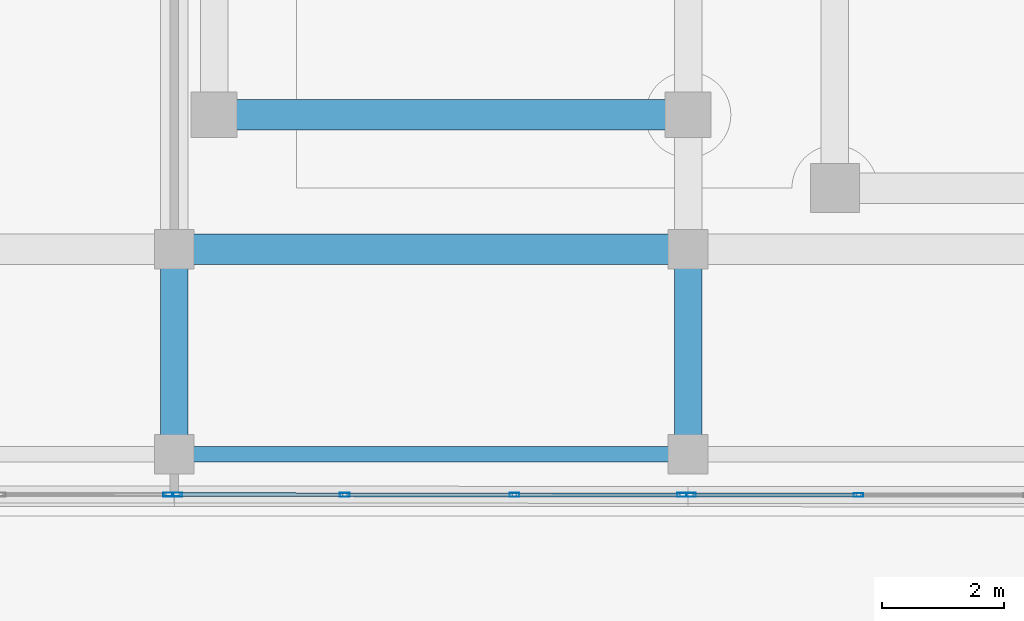
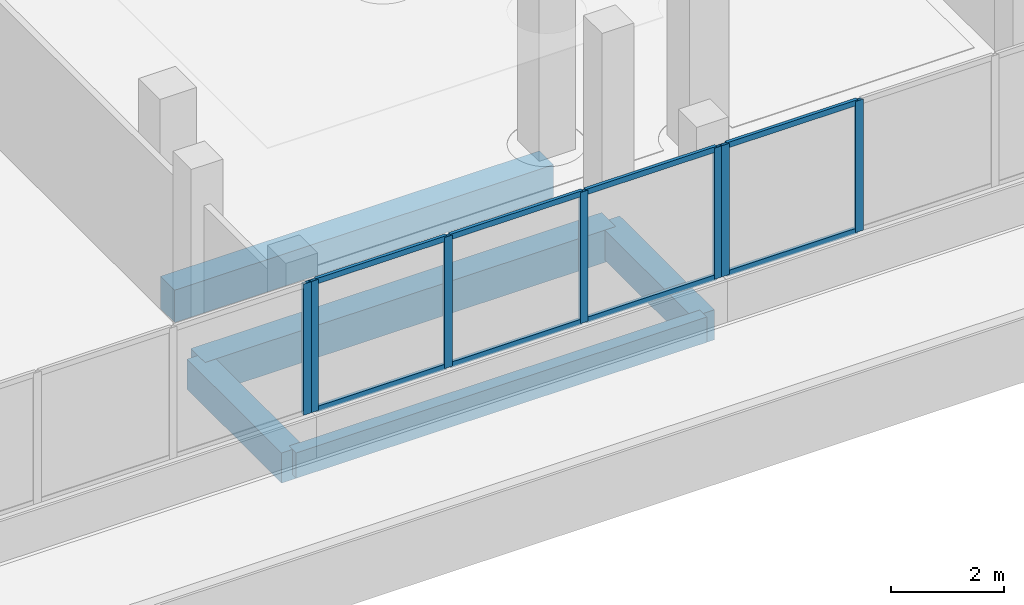
# One storey, part 6 of 78: 15 members, 5 beams, 3 elements without a shape of their own.
"""IFC4 building model written with IfcOpenShell, lengths in metres."""

import ifcopenshell
import ifcopenshell.guid

model = None  # the IFC model being written
_history = None  # IfcOwnerHistory: only IFC2X3 demands one
_inside = {}  # id of a spatial element -> (the spatial element, [elements in it])
_under = {}  # id of a project, library or spatial element -> (it, [spatial elements below it])
_declared = {}  # id of a project -> (the project, [libraries it declares])
_typed = {}  # id of a type object -> (the type object, [elements of that type])
_made_of = {}  # id of a material, layer set ... -> (it, [elements and type objects made of it])


def new_model(schema):
    """Start an empty IFC model of exactly this schema.

    Asked for "IFC4X3", IfcOpenShell would pick the latest addendum, in which some entities
    have other attributes; the version numbers below select the first issue.
    IFC2X3 requires an IfcOwnerHistory on every rooted entity: one is made here for all.
    """
    global model, _history
    if schema == "IFC4X3":
        model = ifcopenshell.file(schema_version=(4, 3, 0, 0))
    else:
        model = ifcopenshell.file(schema=schema)
    _inside.clear()
    _under.clear()
    _declared.clear()
    _typed.clear()
    _made_of.clear()
    _history = None
    if model.schema == "IFC2X3":
        org = make("IfcOrganization", Name="unknown")
        user = make(
            "IfcPersonAndOrganization",
            ThePerson=make("IfcPerson", FamilyName="unknown"),
            TheOrganization=org,
        )
        app = make(
            "IfcApplication",
            ApplicationDeveloper=org,
            Version="unknown",
            ApplicationFullName="unknown",
            ApplicationIdentifier="unknown",
        )
        _history = make(
            "IfcOwnerHistory",
            OwningUser=user,
            OwningApplication=app,
            ChangeAction="ADDED",
            CreationDate=0,
        )
    return model


def make(cls, **values):
    """One entity of the class cls with the attributes given. An attribute that is None is left unset."""
    return model.create_entity(
        cls, **{name: value for name, value in values.items() if value is not None}
    )


def rooted(cls, **values):
    """An entity with a GlobalId (a new one), such as an element, a storey or a relation."""
    return make(cls, GlobalId=ifcopenshell.guid.new(), OwnerHistory=_history, **values)


def si_unit(unit_type, name, prefix=None):
    """IfcSIUnit, for example si_unit("LENGTHUNIT", "METRE", prefix="MILLI")."""
    return make("IfcSIUnit", UnitType=unit_type, Prefix=prefix, Name=name)


def assignment(units):
    """IfcUnitAssignment: the units of a project."""
    return None if units is None else make("IfcUnitAssignment", Units=units)


def point(xyz):
    """IfcCartesianPoint."""
    return None if xyz is None else make("IfcCartesianPoint", Coordinates=xyz)


def direction(xyz):
    """IfcDirection."""
    return None if xyz is None else make("IfcDirection", DirectionRatios=xyz)


def frame(location, z_axis=None, x_axis=None):
    """IfcAxis2Placement3D, a coordinate frame: its origin and axes. An axis left out is left unset."""
    return make(
        "IfcAxis2Placement3D",
        Location=point(location),
        Axis=direction(z_axis),
        RefDirection=direction(x_axis),
    )


def frame_2d(location, x_axis=None):
    """IfcAxis2Placement2D, a coordinate frame in the plane: its origin and x axis."""
    return make(
        "IfcAxis2Placement2D", Location=point(location), RefDirection=direction(x_axis)
    )


def origin():
    """The frame at (0, 0, 0) with its axes left unset."""
    return frame((0.0, 0.0, 0.0))


def origin_2d():
    """The frame at (0, 0) in the plane with its x axis left unset."""
    return frame_2d((0.0, 0.0))


def place(relative_to, where):
    """IfcLocalPlacement: puts the frame where relative to a parent placement (None: the world)."""
    return make(
        "IfcLocalPlacement", PlacementRelTo=relative_to, RelativePlacement=where
    )


def context(
    kind, dimensions, precision=None, world=None, true_north=None, identifier=None
):
    """IfcGeometricRepresentationContext, for example the 3D "Model" context."""
    return make(
        "IfcGeometricRepresentationContext",
        ContextIdentifier=identifier,
        ContextType=kind,
        CoordinateSpaceDimension=dimensions,
        Precision=precision,
        WorldCoordinateSystem=world,
        TrueNorth=true_north,
    )


def subcontext(parent, identifier, kind, view, scale=None):
    """IfcGeometricRepresentationSubContext, for example "Body" below "Model"."""
    return make(
        "IfcGeometricRepresentationSubContext",
        ContextIdentifier=identifier,
        ContextType=kind,
        ParentContext=parent,
        TargetScale=scale,
        TargetView=view,
    )


def project(units=None, contexts=None):
    """IfcProject with its units and contexts."""
    return rooted(
        "IfcProject",
        Name="project",
        RepresentationContexts=contexts,
        UnitsInContext=assignment(units),
    )


def spatial(cls, under=None, at=None, **own):
    """A site, building, storey or space (cls), placed at a placement, below another one or the project."""
    s = rooted(cls, ObjectPlacement=at, **own)
    if under is not None:
        _under.setdefault(under.id(), (under, []))[1].append(s)
    return s


def profile(cls, at=None, kind="AREA", **sizes):
    """A parametric profile (cls). Its sizes go by their IFC names, for example OverallWidth=200.0."""
    return make(cls, ProfileType=kind, Position=at, **sizes)


def rectangle(**sizes):
    """IfcRectangleProfileDef."""
    return profile("IfcRectangleProfileDef", **sizes)


def hollow_rectangle(**sizes):
    """IfcRectangleHollowProfileDef."""
    return profile("IfcRectangleHollowProfileDef", **sizes)


def extrude(swept, where, along, depth):
    """IfcExtrudedAreaSolid: the profile swept, set in the frame where, extruded along a direction by depth."""
    return make(
        "IfcExtrudedAreaSolid",
        SweptArea=swept,
        Position=where,
        ExtrudedDirection=direction(along),
        Depth=depth,
    )


def shape(context_of_items, identifier, shape_type, items):
    """IfcShapeRepresentation: the items that make up one representation, for example the "Body"."""
    return make(
        "IfcShapeRepresentation",
        ContextOfItems=context_of_items,
        RepresentationIdentifier=identifier,
        RepresentationType=shape_type,
        Items=items,
    )


def material(Name=None, Category=None):
    """IfcMaterial."""
    return make("IfcMaterial", Name=Name, Category=Category)


def material_profile(
    of_material, cross_section, Name=None, Category=None, Priority=None
):
    """IfcMaterialProfile: a cross section and its material."""
    return make(
        "IfcMaterialProfile",
        Name=Name,
        Material=of_material,
        Profile=cross_section,
        Priority=Priority,
        Category=Category,
    )


def profile_set(profiles, Name=None, composite=None):
    """IfcMaterialProfileSet."""
    return make(
        "IfcMaterialProfileSet",
        Name=Name,
        MaterialProfiles=profiles,
        CompositeProfile=composite,
    )


def made_of(thing, what):
    """Note that an element or type object is made of a material, layer set ...; save() writes the relation."""
    if what is not None:
        _made_of.setdefault(what.id(), (what, []))[1].append(thing)
    return thing


def type_object(cls, material=None, **own):
    """A type object (cls), such as IfcWallType, which elements share."""
    return made_of(rooted(cls, **own), material)


def element(
    cls,
    number,
    at=None,
    inside=None,
    cuts=None,
    type_object=None,
    material=None,
    context=None,
    identifier="Body",
    shape_type=None,
    held_by="IfcProductDefinitionShape",
    body=None,
    shapes=None,
    **own,
):
    """One element of the class cls, such as IfcWall. Its Tag is "e" and its number.

    at: its placement. inside: the storey or other place that contains it. cuts: it is an
    opening in that element (IfcRelVoidsElement). A single representation is given by context,
    identifier, shape_type and body (its items); several are given by shapes. held_by: the class
    of the entity that holds the representations. save() writes the other relations.
    """
    e = rooted(cls, Tag="e%d" % number, ObjectPlacement=at, **own)
    if body is not None:
        shapes = [shape(context, identifier, shape_type, body)]
    if shapes is not None:
        e.Representation = make(held_by, Representations=shapes)
    if inside is not None:
        _inside.setdefault(inside.id(), (inside, []))[1].append(e)
    if cuts is not None:
        rooted(
            "IfcRelVoidsElement", RelatingBuildingElement=cuts, RelatedOpeningElement=e
        )
    if type_object is not None:
        _typed.setdefault(type_object.id(), (type_object, []))[1].append(e)
    return made_of(e, material)


def aggregate(whole, parts):
    """IfcRelAggregates: a whole, such as a stair, and the parts it consists of."""
    return rooted("IfcRelAggregates", RelatingObject=whole, RelatedObjects=parts)


def save(model, path):
    """Write the relations noted so far, then the file.

    IfcRelAggregates (storeys below a building ...), IfcRelContainedInSpatialStructure (elements
    in a storey), IfcRelDefinesByType, IfcRelAssociatesMaterial and IfcRelDeclares: one each for
    every whole, place, type object, material and project.
    """
    for whole, parts in _under.values():
        aggregate(whole, parts)
    for where, things in _inside.values():
        rooted(
            "IfcRelContainedInSpatialStructure",
            RelatedElements=things,
            RelatingStructure=where,
        )
    for kind, things in _typed.values():
        rooted("IfcRelDefinesByType", RelatedObjects=things, RelatingType=kind)
    for what, things in _made_of.values():
        rooted("IfcRelAssociatesMaterial", RelatedObjects=things, RelatingMaterial=what)
    for by, libraries in _declared.values():
        rooted("IfcRelDeclares", RelatingContext=by, RelatedDefinitions=libraries)
    model.write(path)


model = new_model("IFC4")

# Units and contexts
model_context = context("Model", 3, precision=1e-05, world=origin(), true_north=direction((0.0, 1.0)))
body_context = subcontext(model_context, "Body", "Model", "MODEL_VIEW")
ifc_project = project(units=[si_unit("LENGTHUNIT", "METRE"), si_unit("AREAUNIT", "SQUARE_METRE"), si_unit("VOLUMEUNIT", "CUBIC_METRE"), si_unit("PLANEANGLEUNIT", "RADIAN"), si_unit("MASSUNIT", "GRAM", prefix="KILO")], contexts=[model_context])

# Site, building, storey
site_placement = place(None, origin())
site = spatial("IfcSite", under=ifc_project, at=site_placement, CompositionType="ELEMENT")
building_placement = place(site_placement, origin())
building = spatial("IfcBuilding", under=site, at=building_placement, Name="Selatvlak General Hospital", CompositionType="ELEMENT")
storey_placement = place(building_placement, frame((0.0, 0.0, 23.25)))
storey = spatial("IfcBuildingStorey", under=building, at=storey_placement, Name="L05", CompositionType="ELEMENT", Elevation=23.25)

# Beams
ifc_material_1 = material(Name="Concrete C40/50", Category="concrete")
ifc_material_profile_1 = material_profile(ifc_material_1, rectangle(XDim=0.5, YDim=0.699951171875, at=origin_2d()), Name="RC-BM 500x700")
ifc_profile_set_1 = profile_set([ifc_material_profile_1], Name="Concrete C40/50")
beam_type_1 = type_object("IfcBeamType", Name="BM-G03", PredefinedType="BEAM", material=ifc_profile_set_1)
beam_1_placement = place(storey_placement, frame((48.0, 92.0, -0.6298828125), z_axis=(1.0, 0.0, 0.0), x_axis=(0.0, 1.0, 0.0)))
element("IfcBeam", 1, at=beam_1_placement, inside=storey, type_object=beam_type_1, Name="Beam BMR-L05-1905", PredefinedType="BEAM", context=body_context, shape_type="SweptSolid", body=[
    extrude(rectangle(XDim=0.5, YDim=0.699951171875, at=origin_2d()), origin(), (0.0, 0.0, 1.0), 8.39990234375),
])
beam_2_placement = place(storey_placement, frame((48.64990234375, 94.199951171875, -0.6298828125), z_axis=(1.0, 0.0, 0.0), x_axis=(0.0, 1.0, 0.0)))
element("IfcBeam", 2, at=beam_2_placement, inside=storey, type_object=beam_type_1, Name="Beam BMR-L05-1924", PredefinedType="BEAM", context=body_context, shape_type="SweptSolid", body=[
    extrude(rectangle(XDim=0.5, YDim=0.699951171875, at=origin_2d()), origin(), (0.0, 0.0, 1.0), 7.75),
])
ifc_material_profile_2 = material_profile(ifc_material_1, rectangle(XDim=0.449951171875, YDim=0.64990234375, at=origin_2d()), Name="RC-BM 450x650")
ifc_profile_set_2 = profile_set([ifc_material_profile_2], Name="Concrete C40/50")
beam_type_2 = type_object("IfcBeamType", Name="BM-G04", PredefinedType="BEAM", material=ifc_profile_set_2)
for number, where, z_axis, x_axis, name in (
    (3, (48.0, 88.64990234375, -0.60498046875), (0.0, 1.0, 0.0), (-1.0, 0.0, 0.0), "Beam BMR-L05-1999"),
    (4, (56.39990234375, 88.64990234375, -0.60498046875), (0.0, 1.0, 0.0), (-1.0, 0.0, 0.0), "Beam BMR-L05-2003"),
):
    element("IfcBeam", number, at=place(storey_placement, frame(where, z_axis=z_axis, x_axis=x_axis)), inside=storey, type_object=beam_type_2, Name=name, PredefinedType="BEAM", context=body_context, shape_type="SweptSolid", body=[
        extrude(rectangle(XDim=0.449951171875, YDim=0.64990234375, at=origin_2d()), origin(), (0.0, 0.0, 1.0), 3.35009765625),
    ])
ifc_material_profile_3 = material_profile(ifc_material_1, rectangle(XDim=0.25, YDim=0.550048828125, at=origin_2d()), Name="RC-SP 250x550")
ifc_profile_set_3 = profile_set([ifc_material_profile_3], Name="Concrete C40/50")
beam_type_3 = type_object("IfcBeamType", Name="BM-SP2", PredefinedType="SPANDREL", material=ifc_profile_set_3)
beam_3_placement = place(storey_placement, frame((48.0, 88.64990234375, -0.554931640625), z_axis=(1.0, 0.0, 0.0), x_axis=(0.0, 1.0, 0.0)))
element("IfcBeam", 5, at=beam_3_placement, inside=storey, type_object=beam_type_3, Name="Beam BMR-L05-1885", PredefinedType="SPANDREL", context=body_context, shape_type="SweptSolid", body=[
    extrude(rectangle(XDim=0.25, YDim=0.550048828125, at=origin_2d()), origin(), (0.0, 0.0, 1.0), 8.39990234375),
])

# Curtain wall, members
ifc_material_2 = material(Name="Solar-control Low-E double glazing", Category="glass")
curtain_wall_type_1 = type_object("IfcCurtainWallType", Name="CW-CW-01", PredefinedType="USERDEFINED", material=ifc_material_2)
curtain_wall_1_placement = place(storey_placement, origin())
curtain_wall_1 = element("IfcCurtainWall", 6, at=curtain_wall_1_placement, inside=storey, type_object=curtain_wall_type_1, Name="Glazed facade curtain wall CW-L05-0589", ObjectType="UNITISED CURTAIN WALL", PredefinedType="USERDEFINED")
ifc_material_3 = material(Name="Dark anodised aluminium mullion", Category="aluminium")
ifc_material_profile_4 = material_profile(ifc_material_3, hollow_rectangle(XDim=0.06494140625, YDim=0.159912109375, WallThickness=0.00390625, at=origin_2d()), Name="AL-MUL 65x160x4")
ifc_profile_set_4 = profile_set([ifc_material_profile_4], Name="Dark anodised aluminium mullion")
member_type_1 = type_object("IfcMemberType", Name="CWM-01", PredefinedType="MULLION", material=ifc_profile_set_4)
member_1_placement = place(storey_placement, frame((59.188232421875, 87.982666015625, 0.93994140625), z_axis=(0.0, 0.0, 1.0), x_axis=(-0.00048076918, -0.99999988443, 0.0)))
member_1 = element("IfcMember", 7, at=member_1_placement, type_object=member_type_1, Name="CW-01 mullion 3", PredefinedType="MULLION", context=body_context, shape_type="SweptSolid", body=[
    extrude(hollow_rectangle(XDim=0.06494140625, YDim=0.159912109375, WallThickness=0.00390625, at=origin_2d()), origin(), (0.0, 0.0, 1.0), 2.8349609375),
])
member_2_placement = place(storey_placement, frame((56.447509765625, 87.98388671875, 0.93994140625), z_axis=(0.0, 0.0, 1.0), x_axis=(-0.00048076918, -0.99999988443, 0.0)))
member_2 = element("IfcMember", 8, at=member_2_placement, type_object=member_type_1, Name="CW-01 mullion 4", PredefinedType="MULLION", context=body_context, shape_type="SweptSolid", body=[
    extrude(hollow_rectangle(XDim=0.06494140625, YDim=0.159912109375, WallThickness=0.00390625, at=origin_2d()), origin(), (0.0, 0.0, 1.0), 2.8349609375),
])

curtain_wall_type_2 = type_object("IfcCurtainWallType", Name="CW-CW-02", PredefinedType="USERDEFINED", material=ifc_material_2)
curtain_wall_2_placement = place(storey_placement, origin())
curtain_wall_2 = element("IfcCurtainWall", 9, at=curtain_wall_2_placement, inside=storey, type_object=curtain_wall_type_2, Name="Glazed facade curtain wall CW-L05-0590", ObjectType="UNITISED CURTAIN WALL", PredefinedType="USERDEFINED")
member_3_placement = place(storey_placement, frame((56.302490234375, 87.984130859375, 0.93994140625), z_axis=(0.0, 0.0, 1.0), x_axis=(-0.00048076918, -0.99999988443, 0.0)))
member_3 = element("IfcMember", 10, at=member_3_placement, type_object=member_type_1, Name="CW-02 mullion 1", PredefinedType="MULLION", context=body_context, shape_type="SweptSolid", body=[
    extrude(hollow_rectangle(XDim=0.06494140625, YDim=0.159912109375, WallThickness=0.00390625, at=origin_2d()), origin(), (0.0, 0.0, 1.0), 2.8349609375),
])
member_4_placement = place(storey_placement, frame((53.561767578125, 87.9853515625, 0.93994140625), z_axis=(0.0, 0.0, 1.0), x_axis=(-0.00048076918, -0.99999988443, 0.0)))
member_4 = element("IfcMember", 11, at=member_4_placement, type_object=member_type_1, Name="CW-02 mullion 2", PredefinedType="MULLION", context=body_context, shape_type="SweptSolid", body=[
    extrude(hollow_rectangle(XDim=0.06494140625, YDim=0.159912109375, WallThickness=0.00390625, at=origin_2d()), origin(), (0.0, 0.0, 1.0), 2.8349609375),
])
member_5_placement = place(storey_placement, frame((50.788330078125, 87.986572265625, 0.93994140625), z_axis=(0.0, 0.0, 1.0), x_axis=(-0.00048076918, -0.99999988443, 0.0)))
member_5 = element("IfcMember", 12, at=member_5_placement, type_object=member_type_1, Name="CW-02 mullion 3", PredefinedType="MULLION", context=body_context, shape_type="SweptSolid", body=[
    extrude(hollow_rectangle(XDim=0.06494140625, YDim=0.159912109375, WallThickness=0.00390625, at=origin_2d()), origin(), (0.0, 0.0, 1.0), 2.8349609375),
])
member_6_placement = place(storey_placement, frame((48.047607421875, 87.988037109375, 0.93994140625), z_axis=(0.0, 0.0, 1.0), x_axis=(-0.00048076918, -0.99999988443, 0.0)))
member_6 = element("IfcMember", 13, at=member_6_placement, type_object=member_type_1, Name="CW-02 mullion 4", PredefinedType="MULLION", context=body_context, shape_type="SweptSolid", body=[
    extrude(hollow_rectangle(XDim=0.06494140625, YDim=0.159912109375, WallThickness=0.00390625, at=origin_2d()), origin(), (0.0, 0.0, 1.0), 2.8349609375),
])

# Curtain wall, member
curtain_wall_3_placement = place(storey_placement, origin())
curtain_wall_3 = element("IfcCurtainWall", 14, at=curtain_wall_3_placement, inside=storey, type_object=curtain_wall_type_1, Name="Glazed facade curtain wall CW-L05-0591", ObjectType="UNITISED CURTAIN WALL", PredefinedType="USERDEFINED")
member_7_placement = place(storey_placement, frame((47.902587890625, 87.988037109375, 0.93994140625), z_axis=(0.0, 0.0, 1.0), x_axis=(-0.00048076918, -0.99999988443, 0.0)))
member_7 = element("IfcMember", 15, at=member_7_placement, type_object=member_type_1, Name="CW-01 mullion 1", PredefinedType="MULLION", context=body_context, shape_type="SweptSolid", body=[
    extrude(hollow_rectangle(XDim=0.06494140625, YDim=0.159912109375, WallThickness=0.00390625, at=origin_2d()), origin(), (0.0, 0.0, 1.0), 2.8349609375),
])
aggregate(curtain_wall_3, [member_7])

# Member
ifc_material_profile_5 = material_profile(ifc_material_3, hollow_rectangle(XDim=0.06494140625, YDim=0.1201171875, WallThickness=0.00390625, at=origin_2d()), Name="AL-TRN 65x120x4")
ifc_profile_set_5 = profile_set([ifc_material_profile_5], Name="Dark anodised aluminium mullion")
member_type_2 = type_object("IfcMemberType", Name="CWT-01", PredefinedType="USERDEFINED", material=ifc_profile_set_5)
member_8_placement = place(storey_placement, frame((59.15576171875, 87.982666015625, 0.972412109375), z_axis=(-0.999999895939, 0.000456204332, 0.0), x_axis=(-0.000456204332, -0.999999895939, 0.0)))
member_8 = element("IfcMember", 16, at=member_8_placement, type_object=member_type_2, Name="CW-01 transom 3.1", ObjectType="TRANSOM", PredefinedType="USERDEFINED", context=body_context, shape_type="SweptSolid", body=[
    extrude(hollow_rectangle(XDim=0.06494140625, YDim=0.1201171875, WallThickness=0.00390625, at=origin_2d()), origin(), (0.0, 0.0, 1.0), 2.67578125),
])

member_9_placement = place(storey_placement, frame((59.15576171875, 87.982666015625, 3.742431640625), z_axis=(-0.999999895939, 0.000456204332, 0.0), x_axis=(-0.000456204332, -0.999999895939, 0.0)))
member_9 = element("IfcMember", 17, at=member_9_placement, type_object=member_type_2, Name="CW-01 transom 3.2", ObjectType="TRANSOM", PredefinedType="USERDEFINED", context=body_context, shape_type="SweptSolid", body=[
    extrude(hollow_rectangle(XDim=0.06494140625, YDim=0.1201171875, WallThickness=0.00390625, at=origin_2d()), origin(), (0.0, 0.0, 1.0), 2.67578125),
])

aggregate(curtain_wall_1, [member_1, member_2, member_8, member_9])

member_10_placement = place(storey_placement, frame((56.27001953125, 87.984130859375, 0.972412109375), z_axis=(-0.999999895939, 0.000456204332, 0.0), x_axis=(-0.000456204332, -0.999999895939, 0.0)))
member_10 = element("IfcMember", 18, at=member_10_placement, type_object=member_type_2, Name="CW-02 transom 1.1", ObjectType="TRANSOM", PredefinedType="USERDEFINED", context=body_context, shape_type="SweptSolid", body=[
    extrude(hollow_rectangle(XDim=0.06494140625, YDim=0.1201171875, WallThickness=0.00390625, at=origin_2d()), origin(), (0.0, 0.0, 1.0), 2.67578125),
])

member_11_placement = place(storey_placement, frame((56.27001953125, 87.984130859375, 3.742431640625), z_axis=(-0.999999895939, 0.000456204332, 0.0), x_axis=(-0.000456204332, -0.999999895939, 0.0)))
member_11 = element("IfcMember", 19, at=member_11_placement, type_object=member_type_2, Name="CW-02 transom 1.2", ObjectType="TRANSOM", PredefinedType="USERDEFINED", context=body_context, shape_type="SweptSolid", body=[
    extrude(hollow_rectangle(XDim=0.06494140625, YDim=0.1201171875, WallThickness=0.00390625, at=origin_2d()), origin(), (0.0, 0.0, 1.0), 2.67578125),
])

member_12_placement = place(storey_placement, frame((53.529052734375, 87.9853515625, 0.972412109375), z_axis=(-0.999999898419, 0.000450734652, 0.0), x_axis=(-0.000450734652, -0.999999898419, 0.0)))
member_12 = element("IfcMember", 20, at=member_12_placement, type_object=member_type_2, Name="CW-02 transom 2.1", ObjectType="TRANSOM", PredefinedType="USERDEFINED", context=body_context, shape_type="SweptSolid", body=[
    extrude(hollow_rectangle(XDim=0.06494140625, YDim=0.1201171875, WallThickness=0.00390625, at=origin_2d()), origin(), (0.0, 0.0, 1.0), 2.708251953125),
])

member_13_placement = place(storey_placement, frame((53.529052734375, 87.9853515625, 3.742431640625), z_axis=(-0.999999898419, 0.000450734652, 0.0), x_axis=(-0.000450734652, -0.999999898419, 0.0)))
member_13 = element("IfcMember", 21, at=member_13_placement, type_object=member_type_2, Name="CW-02 transom 2.2", ObjectType="TRANSOM", PredefinedType="USERDEFINED", context=body_context, shape_type="SweptSolid", body=[
    extrude(hollow_rectangle(XDim=0.06494140625, YDim=0.1201171875, WallThickness=0.00390625, at=origin_2d()), origin(), (0.0, 0.0, 1.0), 2.708251953125),
])

member_14_placement = place(storey_placement, frame((50.755859375, 87.986572265625, 0.972412109375), z_axis=(-0.999999850152, 0.000547445173, 0.0), x_axis=(-0.000547445173, -0.999999850152, 0.0)))
member_14 = element("IfcMember", 22, at=member_14_placement, type_object=member_type_2, Name="CW-02 transom 3.1", ObjectType="TRANSOM", PredefinedType="USERDEFINED", context=body_context, shape_type="SweptSolid", body=[
    extrude(hollow_rectangle(XDim=0.06494140625, YDim=0.1201171875, WallThickness=0.00390625, at=origin_2d()), origin(), (0.0, 0.0, 1.0), 2.67578125),
])

member_15_placement = place(storey_placement, frame((50.755859375, 87.986572265625, 3.742431640625), z_axis=(-0.999999850152, 0.000547445173, 0.0), x_axis=(-0.000547445173, -0.999999850152, 0.0)))
member_15 = element("IfcMember", 23, at=member_15_placement, type_object=member_type_2, Name="CW-02 transom 3.2", ObjectType="TRANSOM", PredefinedType="USERDEFINED", context=body_context, shape_type="SweptSolid", body=[
    extrude(hollow_rectangle(XDim=0.06494140625, YDim=0.1201171875, WallThickness=0.00390625, at=origin_2d()), origin(), (0.0, 0.0, 1.0), 2.67578125),
])

aggregate(curtain_wall_2, [member_3, member_4, member_5, member_6, member_10, member_11, member_12, member_13, member_14, member_15])

save(model, "model.ifc")
